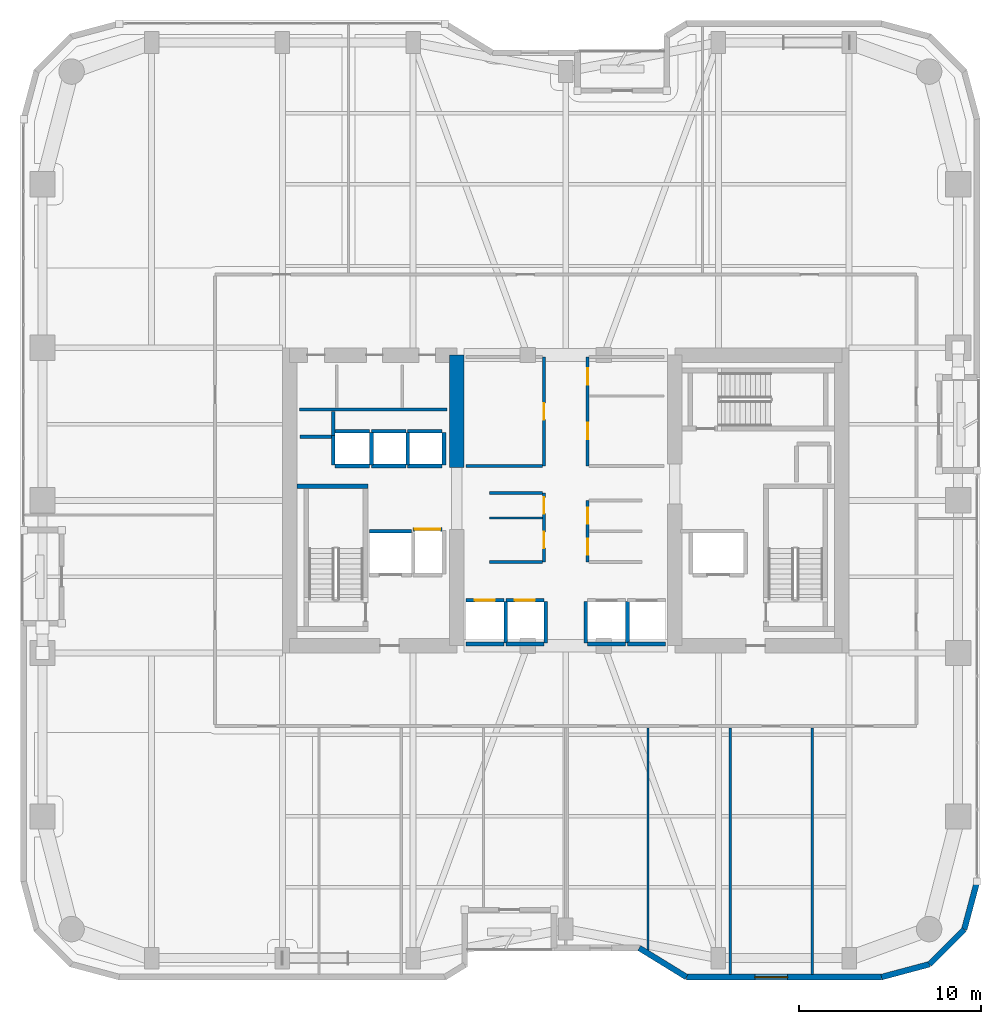
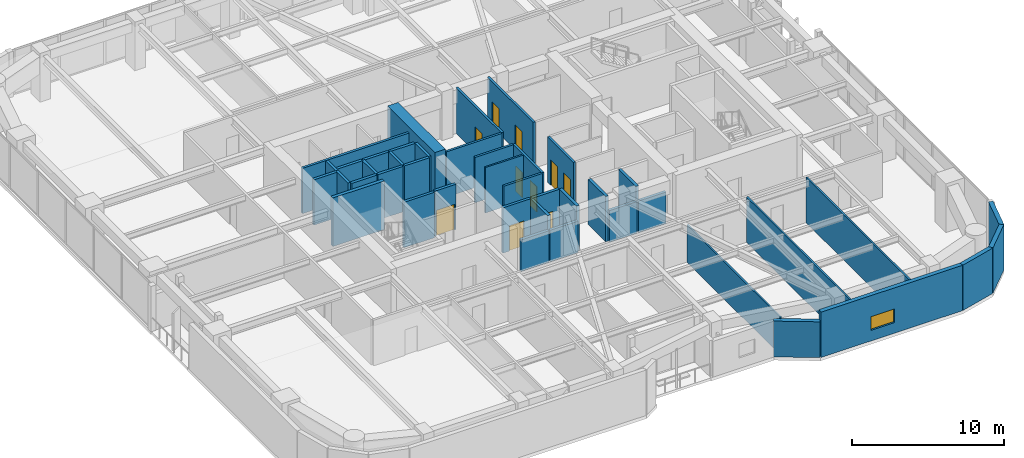
# One storey, part 19 of 24: 43 walls, 10 doors, 1 window, 11 openings.
"""IFC4 building model written with IfcOpenShell, lengths in metres."""

import ifcopenshell
import ifcopenshell.guid

model = None  # the IFC model being written
_history = None  # IfcOwnerHistory: only IFC2X3 demands one
_inside = {}  # id of a spatial element -> (the spatial element, [elements in it])
_under = {}  # id of a project, library or spatial element -> (it, [spatial elements below it])
_declared = {}  # id of a project -> (the project, [libraries it declares])
_typed = {}  # id of a type object -> (the type object, [elements of that type])
_made_of = {}  # id of a material, layer set ... -> (it, [elements and type objects made of it])


def new_model(schema):
    """Start an empty IFC model of exactly this schema.

    Asked for "IFC4X3", IfcOpenShell would pick the latest addendum, in which some entities
    have other attributes; the version numbers below select the first issue.
    IFC2X3 requires an IfcOwnerHistory on every rooted entity: one is made here for all.
    """
    global model, _history
    if schema == "IFC4X3":
        model = ifcopenshell.file(schema_version=(4, 3, 0, 0))
    else:
        model = ifcopenshell.file(schema=schema)
    _inside.clear()
    _under.clear()
    _declared.clear()
    _typed.clear()
    _made_of.clear()
    _history = None
    if model.schema == "IFC2X3":
        org = make("IfcOrganization", Name="unknown")
        user = make(
            "IfcPersonAndOrganization",
            ThePerson=make("IfcPerson", FamilyName="unknown"),
            TheOrganization=org,
        )
        app = make(
            "IfcApplication",
            ApplicationDeveloper=org,
            Version="unknown",
            ApplicationFullName="unknown",
            ApplicationIdentifier="unknown",
        )
        _history = make(
            "IfcOwnerHistory",
            OwningUser=user,
            OwningApplication=app,
            ChangeAction="ADDED",
            CreationDate=0,
        )
    return model


def make(cls, **values):
    """One entity of the class cls with the attributes given. An attribute that is None is left unset."""
    return model.create_entity(
        cls, **{name: value for name, value in values.items() if value is not None}
    )


def rooted(cls, **values):
    """An entity with a GlobalId (a new one), such as an element, a storey or a relation."""
    return make(cls, GlobalId=ifcopenshell.guid.new(), OwnerHistory=_history, **values)


def si_unit(unit_type, name, prefix=None):
    """IfcSIUnit, for example si_unit("LENGTHUNIT", "METRE", prefix="MILLI")."""
    return make("IfcSIUnit", UnitType=unit_type, Prefix=prefix, Name=name)


def assignment(units):
    """IfcUnitAssignment: the units of a project."""
    return None if units is None else make("IfcUnitAssignment", Units=units)


def point(xyz):
    """IfcCartesianPoint."""
    return None if xyz is None else make("IfcCartesianPoint", Coordinates=xyz)


def direction(xyz):
    """IfcDirection."""
    return None if xyz is None else make("IfcDirection", DirectionRatios=xyz)


def frame(location, z_axis=None, x_axis=None):
    """IfcAxis2Placement3D, a coordinate frame: its origin and axes. An axis left out is left unset."""
    return make(
        "IfcAxis2Placement3D",
        Location=point(location),
        Axis=direction(z_axis),
        RefDirection=direction(x_axis),
    )


def frame_2d(location, x_axis=None):
    """IfcAxis2Placement2D, a coordinate frame in the plane: its origin and x axis."""
    return make(
        "IfcAxis2Placement2D", Location=point(location), RefDirection=direction(x_axis)
    )


def origin():
    """The frame at (0, 0, 0) with its axes left unset."""
    return frame((0.0, 0.0, 0.0))


def place(relative_to, where):
    """IfcLocalPlacement: puts the frame where relative to a parent placement (None: the world)."""
    return make(
        "IfcLocalPlacement", PlacementRelTo=relative_to, RelativePlacement=where
    )


def context(
    kind, dimensions, precision=None, world=None, true_north=None, identifier=None
):
    """IfcGeometricRepresentationContext, for example the 3D "Model" context."""
    return make(
        "IfcGeometricRepresentationContext",
        ContextIdentifier=identifier,
        ContextType=kind,
        CoordinateSpaceDimension=dimensions,
        Precision=precision,
        WorldCoordinateSystem=world,
        TrueNorth=true_north,
    )


def subcontext(parent, identifier, kind, view, scale=None):
    """IfcGeometricRepresentationSubContext, for example "Body" below "Model"."""
    return make(
        "IfcGeometricRepresentationSubContext",
        ContextIdentifier=identifier,
        ContextType=kind,
        ParentContext=parent,
        TargetScale=scale,
        TargetView=view,
    )


def project(units=None, contexts=None):
    """IfcProject with its units and contexts."""
    return rooted(
        "IfcProject",
        Name="project",
        RepresentationContexts=contexts,
        UnitsInContext=assignment(units),
    )


def spatial(cls, under=None, at=None, **own):
    """A site, building, storey or space (cls), placed at a placement, below another one or the project."""
    s = rooted(cls, ObjectPlacement=at, **own)
    if under is not None:
        _under.setdefault(under.id(), (under, []))[1].append(s)
    return s


def profile(cls, at=None, kind="AREA", **sizes):
    """A parametric profile (cls). Its sizes go by their IFC names, for example OverallWidth=200.0."""
    return make(cls, ProfileType=kind, Position=at, **sizes)


def rectangle(**sizes):
    """IfcRectangleProfileDef."""
    return profile("IfcRectangleProfileDef", **sizes)


def extrude(swept, where, along, depth):
    """IfcExtrudedAreaSolid: the profile swept, set in the frame where, extruded along a direction by depth."""
    return make(
        "IfcExtrudedAreaSolid",
        SweptArea=swept,
        Position=where,
        ExtrudedDirection=direction(along),
        Depth=depth,
    )


def shape(context_of_items, identifier, shape_type, items):
    """IfcShapeRepresentation: the items that make up one representation, for example the "Body"."""
    return make(
        "IfcShapeRepresentation",
        ContextOfItems=context_of_items,
        RepresentationIdentifier=identifier,
        RepresentationType=shape_type,
        Items=items,
    )


def material(Name=None, Category=None):
    """IfcMaterial."""
    return make("IfcMaterial", Name=Name, Category=Category)


def layer(
    of_material, thickness, ventilated=None, Name=None, Category=None, Priority=None
):
    """IfcMaterialLayer: one layer of a wall or slab, of a material (None: an air gap)."""
    return make(
        "IfcMaterialLayer",
        Material=of_material,
        LayerThickness=thickness,
        IsVentilated=ventilated,
        Name=Name,
        Category=Category,
        Priority=Priority,
    )


def layer_set(layers, Name=None):
    """IfcMaterialLayerSet."""
    return make("IfcMaterialLayerSet", MaterialLayers=layers, LayerSetName=Name)


def made_of(thing, what):
    """Note that an element or type object is made of a material, layer set ...; save() writes the relation."""
    if what is not None:
        _made_of.setdefault(what.id(), (what, []))[1].append(thing)
    return thing


def type_object(cls, material=None, **own):
    """A type object (cls), such as IfcWallType, which elements share."""
    return made_of(rooted(cls, **own), material)


def element(
    cls,
    number,
    at=None,
    inside=None,
    cuts=None,
    type_object=None,
    material=None,
    context=None,
    identifier="Body",
    shape_type=None,
    held_by="IfcProductDefinitionShape",
    body=None,
    shapes=None,
    **own,
):
    """One element of the class cls, such as IfcWall. Its Tag is "e" and its number.

    at: its placement. inside: the storey or other place that contains it. cuts: it is an
    opening in that element (IfcRelVoidsElement). A single representation is given by context,
    identifier, shape_type and body (its items); several are given by shapes. held_by: the class
    of the entity that holds the representations. save() writes the other relations.
    """
    e = rooted(cls, Tag="e%d" % number, ObjectPlacement=at, **own)
    if body is not None:
        shapes = [shape(context, identifier, shape_type, body)]
    if shapes is not None:
        e.Representation = make(held_by, Representations=shapes)
    if inside is not None:
        _inside.setdefault(inside.id(), (inside, []))[1].append(e)
    if cuts is not None:
        rooted(
            "IfcRelVoidsElement", RelatingBuildingElement=cuts, RelatedOpeningElement=e
        )
    if type_object is not None:
        _typed.setdefault(type_object.id(), (type_object, []))[1].append(e)
    return made_of(e, material)


def fill(opening, filler):
    """IfcRelFillsElement: the door or window that sits in an opening."""
    return rooted(
        "IfcRelFillsElement",
        RelatingOpeningElement=opening,
        RelatedBuildingElement=filler,
    )


def aggregate(whole, parts):
    """IfcRelAggregates: a whole, such as a stair, and the parts it consists of."""
    return rooted("IfcRelAggregates", RelatingObject=whole, RelatedObjects=parts)


def save(model, path):
    """Write the relations noted so far, then the file.

    IfcRelAggregates (storeys below a building ...), IfcRelContainedInSpatialStructure (elements
    in a storey), IfcRelDefinesByType, IfcRelAssociatesMaterial and IfcRelDeclares: one each for
    every whole, place, type object, material and project.
    """
    for whole, parts in _under.values():
        aggregate(whole, parts)
    for where, things in _inside.values():
        rooted(
            "IfcRelContainedInSpatialStructure",
            RelatedElements=things,
            RelatingStructure=where,
        )
    for kind, things in _typed.values():
        rooted("IfcRelDefinesByType", RelatedObjects=things, RelatingType=kind)
    for what, things in _made_of.values():
        rooted("IfcRelAssociatesMaterial", RelatedObjects=things, RelatingMaterial=what)
    for by, libraries in _declared.values():
        rooted("IfcRelDeclares", RelatingContext=by, RelatedDefinitions=libraries)
    model.write(path)


model = new_model("IFC4")

# Units and contexts
model_context = context("Model", 3, precision=1e-05, world=origin(), true_north=direction((0.0, 1.0)))
body_context = subcontext(model_context, "Body", "Model", "MODEL_VIEW")
ifc_project = project(units=[si_unit("LENGTHUNIT", "METRE"), si_unit("AREAUNIT", "SQUARE_METRE"), si_unit("VOLUMEUNIT", "CUBIC_METRE"), si_unit("PLANEANGLEUNIT", "RADIAN"), si_unit("MASSUNIT", "GRAM", prefix="KILO")], contexts=[model_context])

# Site, building, storey
site_placement = place(None, origin())
site = spatial("IfcSite", under=ifc_project, at=site_placement, CompositionType="ELEMENT")
building_placement = place(site_placement, origin())
building = spatial("IfcBuilding", under=site, at=building_placement, Name="Kiyonajd Concourse Tower", CompositionType="ELEMENT")
storey_placement = place(building_placement, frame((0.0, 0.0, 113.10009765625)))
storey = spatial("IfcBuildingStorey", under=building, at=storey_placement, Name="L29", CompositionType="ELEMENT", Elevation=113.10009765625)

# Walls
ifc_material_1 = material(Name="Concrete C70/85", Category="concrete")
ifc_layer_1 = layer(ifc_material_1, 0.800048828125)
ifc_layer_set_1 = layer_set([ifc_layer_1], Name="Concrete C70/85")
wall_type_1 = type_object("IfcWallType", Name="WL-CORE-800", PredefinedType="SHEAR", material=ifc_layer_set_1)
wall_1_placement = place(storey_placement, frame((42.0, 37.800048828125, 0.0), z_axis=(0.0, 0.0, 1.0), x_axis=(0.0, 1.0, 0.0)))
element("IfcWall", 1, at=wall_1_placement, inside=storey, type_object=wall_type_1, Name="L29 West Core Inner North Shear Wall", PredefinedType="SHEAR", context=body_context, shape_type="SweptSolid", body=[
    extrude(rectangle(XDim=6.199951171875, YDim=0.800048828125, at=frame_2d((3.10009765625, 0.0))), origin(), (0.0, 0.0, 1.0), 3.89990234375),
])
ifc_material_2 = material(Name="Precast concrete C50/60", Category="concrete")
ifc_layer_2 = layer(ifc_material_2, 0.320068359375)
ifc_layer_set_2 = layer_set([ifc_layer_2], Name="Precast concrete C50/60")
wall_type_2 = type_object("IfcWallType", Name="WL-EXT-320", PredefinedType="SOLIDWALL", material=ifc_layer_set_2)
wall_2_placement = place(storey_placement, frame((70.639892578125, 15.02099609375, 0.0), z_axis=(0.0, 0.0, 1.0), x_axis=(-0.258613949072, -0.965980758269, 0.0)))
element("IfcWall", 2, at=wall_2_placement, inside=storey, type_object=wall_type_2, Name="L29 Exterior Concrete Frame Wall 25", PredefinedType="SOLIDWALL", context=body_context, shape_type="SweptSolid", body=[
    extrude(rectangle(XDim=2.731201171875, YDim=0.320068359375, at=frame_2d((1.36572265625, 0.0))), origin(), (0.0, 0.0, 1.0), 3.639892578125),
])
wall_3_placement = place(storey_placement, frame((69.93359375, 12.3828125, 0.0), z_axis=(0.0, 0.0, 1.0), x_axis=(-0.707151821269, -0.707061738235, 0.0)))
element("IfcWall", 3, at=wall_3_placement, inside=storey, type_object=wall_type_2, Name="L29 Exterior Concrete Frame Wall 26", PredefinedType="SOLIDWALL", context=body_context, shape_type="SweptSolid", body=[
    extrude(rectangle(XDim=2.710205078125, YDim=0.320068359375, at=frame_2d((1.35498046875, 0.0))), origin(), (0.0, 0.0, 1.0), 3.639892578125),
])
wall_4_placement = place(storey_placement, frame((68.01708984375, 10.466552734375, 0.0), z_axis=(0.0, 0.0, 1.0), x_axis=(-0.965958423373, -0.25869736047, 0.0)))
element("IfcWall", 4, at=wall_4_placement, inside=storey, type_object=wall_type_2, Name="L29 Exterior Concrete Frame Wall 27", PredefinedType="SOLIDWALL", context=body_context, shape_type="SweptSolid", body=[
    extrude(rectangle(XDim=2.731201171875, YDim=0.320068359375, at=frame_2d((1.36572265625, 0.0))), origin(), (0.0, 0.0, 1.0), 3.639892578125),
])

# Wall, opening, window
wall_5_placement = place(storey_placement, frame((65.37890625, 9.760009765625, 0.0), z_axis=(0.0, 0.0, 1.0), x_axis=(-1.0, 0.0, 0.0)))
wall_5 = element("IfcWall", 5, at=wall_5_placement, inside=storey, type_object=wall_type_2, Name="L29 Exterior Concrete Frame Wall 28", PredefinedType="SOLIDWALL", context=body_context, shape_type="SweptSolid", body=[
    extrude(rectangle(XDim=10.733642578125, YDim=0.320068359375, at=frame_2d((5.36669921875, 0.0))), origin(), (0.0, 0.0, 1.0), 3.639892578125),
])
opening_1_placement = place(wall_5_placement, frame((5.1689453125, 0.0, 0.85009765625)))
opening_1 = element("IfcOpeningElement", 6, at=opening_1_placement, cuts=wall_5, Name="Opening WN1", PredefinedType="OPENING", context=body_context, shape_type="SweptSolid", body=[
    extrude(rectangle(XDim=1.800048828125, YDim=1.10009765625, at=frame_2d((0.89990234375, 0.550048828125))), frame((0.0, 0.169921875, 0.0), z_axis=(0.0, -1.0, 0.0), x_axis=(1.0, 0.0, 0.0)), (0.0, 0.0, 1.0), 0.340087890625),
])
ifc_material_3 = material(Name="Double Low-E Insulated Glass", Category="glass")
window_type = type_object("IfcWindowType", Name="WN-VIS-1800x1100", PartitioningType="SINGLE_PANEL", PredefinedType="WINDOW", material=ifc_material_3)
window_placement = place(opening_1_placement, origin())
window = element("IfcWindow", 7, at=window_placement, inside=storey, type_object=window_type, Name="L29 Modular Facade Vision Window 28", OverallHeight=1.10009765625, OverallWidth=1.800048828125, PartitioningType="SINGLE_PANEL", PredefinedType="WINDOW", context=body_context, shape_type="SweptSolid", body=[
    extrude(rectangle(XDim=1.800048828125, YDim=1.10009765625, at=frame_2d((0.89990234375, 0.550048828125))), frame((0.0, 0.030029296875, 0.0), z_axis=(0.0, -1.0, 0.0), x_axis=(1.0, 0.0, 0.0)), (0.0, 0.0, 1.0), 0.06005859375),
])
fill(opening_1, window)

# Walls
wall_6_placement = place(storey_placement, frame((54.645263671875, 9.760009765625, 0.0), z_axis=(0.0, 0.0, 1.0), x_axis=(-0.851630857047, 0.524142044989, 0.0)))
element("IfcWall", 8, at=wall_6_placement, inside=storey, type_object=wall_type_2, Name="L29 Exterior Concrete Frame Wall 29", PredefinedType="SOLIDWALL", context=body_context, shape_type="SweptSolid", body=[
    extrude(rectangle(XDim=3.052734375, YDim=0.320068359375, at=frame_2d((1.5263671875, 0.0))), origin(), (0.0, 0.0, 1.0), 2.875),
])
ifc_material_4 = material(Name="Gypsum Board on Cold-Formed Steel Stud", Category="steel")
ifc_layer_3 = layer(ifc_material_4, 0.125)
ifc_layer_set_3 = layer_set([ifc_layer_3], Name="Gypsum Board on Cold-Formed Steel Stud")
wall_type_3 = type_object("IfcWallType", Name="WL-PART-125", PredefinedType="PARTITIONING", material=ifc_layer_set_3)
wall_7_placement = place(storey_placement, frame((43.800048828125, 35.031982421875, 0.0), z_axis=(0.0, 0.0, 1.0), x_axis=(1.0, 0.0, 0.0)))
element("IfcWall", 9, at=wall_7_placement, inside=storey, type_object=wall_type_3, Name="L29 Interior Partition Wall", PredefinedType="PARTITIONING", context=body_context, shape_type="SweptSolid", body=[
    extrude(rectangle(XDim=2.912841796875, YDim=0.125, at=frame_2d((1.45654296875, 0.0))), origin(), (0.0, 0.0, 1.0), 3.639892578125),
])
wall_8_placement = place(storey_placement, frame((52.52001953125, 11.222900390625, 0.0), z_axis=(0.0, 0.0, 1.0), x_axis=(0.0, 1.0, 0.0)))
element("IfcWall", 10, at=wall_8_placement, inside=storey, type_object=wall_type_3, Name="L29 Interior Partition Wall", PredefinedType="PARTITIONING", context=body_context, shape_type="SweptSolid", body=[
    extrude(rectangle(XDim=12.260009765625, YDim=0.125, at=frame_2d((6.1298828125, 0.0))), origin(), (0.0, 0.0, 1.0), 3.0029296875),
])
for number, where, z_axis, x_axis, name in (
    (11, (57.050048828125, 9.9150390625, 0.0), (0.0, 0.0, 1.0), (0.0, 1.0, 0.0), "L29 Interior Partition Wall"),
    (12, (61.570068359375, 9.9150390625, 0.0), (0.0, 0.0, 1.0), (0.0, 1.0, 0.0), "L29 Interior Partition Wall"),
):
    element("IfcWall", number, at=place(storey_placement, frame(where, z_axis=z_axis, x_axis=x_axis)), inside=storey, type_object=wall_type_3, Name=name, PredefinedType="PARTITIONING", context=body_context, shape_type="SweptSolid", body=[
        extrude(rectangle(XDim=13.56787109375, YDim=0.125, at=frame_2d((6.783935546875, 0.0))), origin(), (0.0, 0.0, 1.0), 3.639892578125),
    ])
ifc_layer_4 = layer(ifc_material_4, 0.18994140625)
ifc_layer_set_4 = layer_set([ifc_layer_4], Name="Gypsum Board on Cold-Formed Steel Stud")
wall_type_4 = type_object("IfcWallType", Name="WL-PLMB-190", PredefinedType="PLUMBINGWALL", material=ifc_layer_set_4)
wall_9_placement = place(storey_placement, frame((33.35009765625, 41.0, 0.0), z_axis=(0.0, 0.0, 1.0), x_axis=(1.0, 0.0, 0.0)))
element("IfcWall", 13, at=wall_9_placement, inside=storey, type_object=wall_type_4, Name="L29 Interior Partition Wall", PredefinedType="PLUMBINGWALL", context=body_context, shape_type="SweptSolid", body=[
    extrude(rectangle(XDim=8.099853515625, YDim=0.18994140625, at=frame_2d((4.0498046875, 0.0))), origin(), (0.0, 0.0, 1.0), 3.639892578125),
])
ifc_layer_5 = layer(ifc_material_4, 0.2099609375)
ifc_layer_set_5 = layer_set([ifc_layer_5], Name="Gypsum Board on Cold-Formed Steel Stud")
wall_type_5 = type_object("IfcWallType", Name="WL-SHAFT-210", PredefinedType="PARTITIONING", material=ifc_layer_set_5)
wall_10_placement = place(storey_placement, frame((33.360107421875, 39.5, 0.0), z_axis=(0.0, 0.0, 1.0), x_axis=(1.0, 0.0, 0.0)))
element("IfcWall", 14, at=wall_10_placement, inside=storey, type_object=wall_type_5, Name="L29 Shaft Enclosure Wall", PredefinedType="PARTITIONING", context=body_context, shape_type="SweptSolid", body=[
    extrude(rectangle(XDim=1.85986328125, YDim=0.2099609375, at=frame_2d((0.929931640625, 0.0))), origin(), (0.0, 0.0, 1.0), 3.639892578125),
])
wall_11_placement = place(storey_placement, frame((35.199951171875, 39.580078125, 0.0), z_axis=(0.0, 0.0, 1.0), x_axis=(0.0, 1.0, 0.0)))
element("IfcWall", 15, at=wall_11_placement, inside=storey, type_object=wall_type_5, Name="L29 Shaft Enclosure Wall", PredefinedType="PARTITIONING", context=body_context, shape_type="SweptSolid", body=[
    extrude(rectangle(XDim=1.31982421875, YDim=0.2099609375, at=frame_2d((0.659912109375, 0.0))), origin(), (0.0, 0.0, 1.0), 3.639892578125),
])
wall_12_placement = place(storey_placement, frame((37.199951171875, 34.300048828125, 0.0), z_axis=(0.0, 0.0, 1.0), x_axis=(1.0, 0.0, 0.0)))
element("IfcWall", 16, at=wall_12_placement, inside=storey, type_object=wall_type_5, Name="L29 Shaft Enclosure Wall", PredefinedType="PARTITIONING", context=body_context, shape_type="SweptSolid", body=[
    extrude(rectangle(XDim=2.300048828125, YDim=0.2099609375, at=frame_2d((1.14990234375, 0.0))), origin(), (0.0, 0.0, 1.0), 3.639892578125),
])

# Wall, opening, door
wall_13_placement = place(storey_placement, frame((39.60009765625, 34.39990234375, 0.0), z_axis=(0.0, 0.0, 1.0), x_axis=(1.0, 0.0, 0.0)))
wall_13 = element("IfcWall", 17, at=wall_13_placement, inside=storey, type_object=wall_type_5, Name="L29 Shaft Enclosure Wall", PredefinedType="PARTITIONING", context=body_context, shape_type="SweptSolid", body=[
    extrude(rectangle(XDim=1.599853515625, YDim=0.2099609375, at=frame_2d((0.7998046875, 0.0))), origin(), (0.0, 0.0, 1.0), 3.639892578125),
])
opening_2_placement = place(wall_13_placement, frame((0.10009765625, 0.0, 0.0)))
opening_2 = element("IfcOpeningElement", 18, at=opening_2_placement, cuts=wall_13, Name="Opening LD3", PredefinedType="OPENING", context=body_context, shape_type="SweptSolid", body=[
    extrude(rectangle(XDim=1.39990234375, YDim=2.06005859375, at=frame_2d((0.699951171875, 1.030029296875))), frame((0.0, 0.114990234375, 0.0), z_axis=(0.0, -1.0, 0.0), x_axis=(1.0, 0.0, 0.0)), (0.0, 0.0, 1.0), 0.22998046875),
])
ifc_material_5 = material(Name="Brushed Stainless Steel Cab Assembly", Category="steel")
door_type_1 = type_object("IfcDoorType", Name="DR-LD-1400", OperationType="DOUBLE_DOOR_SLIDING", PredefinedType="DOOR", material=ifc_material_5)
door_1_placement = place(opening_2_placement, origin())
door_1 = element("IfcDoor", 19, at=door_1_placement, inside=storey, type_object=door_type_1, Name="L29 Lift SVL1 Sliding Landing Door", OperationType="DOUBLE_DOOR_SLIDING", OverallHeight=2.06005859375, OverallWidth=1.39990234375, PredefinedType="DOOR", context=body_context, shape_type="SweptSolid", body=[
    extrude(rectangle(XDim=1.39990234375, YDim=2.06005859375, at=frame_2d((0.699951171875, 1.030029296875))), frame((0.0, 0.02490234375, 0.0), z_axis=(0.0, -1.0, 0.0), x_axis=(1.0, 0.0, 0.0)), (0.0, 0.0, 1.0), 0.050048828125),
])
fill(opening_2, door_1)

wall_14_placement = place(storey_placement, frame((42.5, 30.5, 0.0), z_axis=(0.0, 0.0, 1.0), x_axis=(1.0, 0.0, 0.0)))
wall_14 = element("IfcWall", 20, at=wall_14_placement, inside=storey, type_object=wall_type_5, Name="L29 Shaft Enclosure Wall", PredefinedType="PARTITIONING", context=body_context, shape_type="SweptSolid", body=[
    extrude(rectangle(XDim=2.10009765625, YDim=0.2099609375, at=frame_2d((1.050048828125, 0.0))), origin(), (0.0, 0.0, 1.0), 3.639892578125),
])
opening_3_placement = place(wall_14_placement, frame((0.5, 0.0, 0.0)))
opening_3 = element("IfcOpeningElement", 21, at=opening_3_placement, cuts=wall_14, Name="Opening LD1", PredefinedType="OPENING", context=body_context, shape_type="SweptSolid", body=[
    extrude(rectangle(XDim=1.10009765625, YDim=2.0400390625, at=frame_2d((0.550048828125, 1.02001953125))), frame((0.0, 0.114990234375, 0.0), z_axis=(0.0, -1.0, 0.0), x_axis=(1.0, 0.0, 0.0)), (0.0, 0.0, 1.0), 0.22998046875),
])
door_type_2 = type_object("IfcDoorType", Name="DR-LD-1100", OperationType="DOUBLE_DOOR_SLIDING", PredefinedType="DOOR", material=ifc_material_5)
door_2_placement = place(opening_3_placement, origin())
door_2 = element("IfcDoor", 22, at=door_2_placement, inside=storey, type_object=door_type_2, Name="L29 Lift PL-L1 Sliding Landing Door", OperationType="DOUBLE_DOOR_SLIDING", OverallHeight=2.0400390625, OverallWidth=1.10009765625, PredefinedType="DOOR", context=body_context, shape_type="SweptSolid", body=[
    extrude(rectangle(XDim=1.10009765625, YDim=2.0400390625, at=frame_2d((0.550048828125, 1.02001953125))), frame((0.0, 0.02490234375, 0.0), z_axis=(0.0, -1.0, 0.0), x_axis=(1.0, 0.0, 0.0)), (0.0, 0.0, 1.0), 0.050048828125),
])
fill(opening_3, door_2)

# Walls
wall_15_placement = place(storey_placement, frame((42.5, 28.10009765625, 0.0), z_axis=(0.0, 0.0, 1.0), x_axis=(1.0, 0.0, 0.0)))
element("IfcWall", 23, at=wall_15_placement, inside=storey, type_object=wall_type_5, Name="L29 Shaft Enclosure Wall", PredefinedType="PARTITIONING", context=body_context, shape_type="SweptSolid", body=[
    extrude(rectangle(XDim=2.10009765625, YDim=0.2099609375, at=frame_2d((1.050048828125, 0.0))), origin(), (0.0, 0.0, 1.0), 2.52490234375),
])
wall_16_placement = place(storey_placement, frame((44.699951171875, 28.159912109375, 0.0), z_axis=(0.0, 0.0, 1.0), x_axis=(0.0, 1.0, 0.0)))
element("IfcWall", 24, at=wall_16_placement, inside=storey, type_object=wall_type_5, Name="L29 Shaft Enclosure Wall", PredefinedType="PARTITIONING", context=body_context, shape_type="SweptSolid", body=[
    extrude(rectangle(XDim=2.280029296875, YDim=0.2099609375, at=frame_2d((1.14013671875, 0.0))), origin(), (0.0, 0.0, 1.0), 3.639892578125),
])

# Wall, opening, door
wall_17_placement = place(storey_placement, frame((44.699951171875, 30.5, 0.0), z_axis=(0.0, 0.0, 1.0), x_axis=(1.0, 0.0, 0.0)))
wall_17 = element("IfcWall", 25, at=wall_17_placement, inside=storey, type_object=wall_type_5, Name="L29 Shaft Enclosure Wall", PredefinedType="PARTITIONING", context=body_context, shape_type="SweptSolid", body=[
    extrude(rectangle(XDim=2.10009765625, YDim=0.2099609375, at=frame_2d((1.050048828125, 0.0))), origin(), (0.0, 0.0, 1.0), 3.639892578125),
])
opening_4_placement = place(wall_17_placement, frame((0.5, 0.0, 0.0)))
opening_4 = element("IfcOpeningElement", 26, at=opening_4_placement, cuts=wall_17, Name="Opening LD1", PredefinedType="OPENING", context=body_context, shape_type="SweptSolid", body=[
    extrude(rectangle(XDim=1.10009765625, YDim=2.0400390625, at=frame_2d((0.550048828125, 1.02001953125))), frame((0.0, 0.114990234375, 0.0), z_axis=(0.0, -1.0, 0.0), x_axis=(1.0, 0.0, 0.0)), (0.0, 0.0, 1.0), 0.22998046875),
])
door_3_placement = place(opening_4_placement, origin())
door_3 = element("IfcDoor", 27, at=door_3_placement, inside=storey, type_object=door_type_2, Name="L29 Lift PL-L2 Sliding Landing Door", OperationType="DOUBLE_DOOR_SLIDING", OverallHeight=2.0400390625, OverallWidth=1.10009765625, PredefinedType="DOOR", context=body_context, shape_type="SweptSolid", body=[
    extrude(rectangle(XDim=1.10009765625, YDim=2.0400390625, at=frame_2d((0.550048828125, 1.02001953125))), frame((0.0, 0.02490234375, 0.0), z_axis=(0.0, -1.0, 0.0), x_axis=(1.0, 0.0, 0.0)), (0.0, 0.0, 1.0), 0.050048828125),
])
fill(opening_4, door_3)

# Walls
wall_18_placement = place(storey_placement, frame((44.699951171875, 28.10009765625, 0.0), z_axis=(0.0, 0.0, 1.0), x_axis=(1.0, 0.0, 0.0)))
element("IfcWall", 28, at=wall_18_placement, inside=storey, type_object=wall_type_5, Name="L29 Shaft Enclosure Wall", PredefinedType="PARTITIONING", context=body_context, shape_type="SweptSolid", body=[
    extrude(rectangle(XDim=2.10009765625, YDim=0.2099609375, at=frame_2d((1.050048828125, 0.0))), origin(), (0.0, 0.0, 1.0), 2.52490234375),
])
wall_19_placement = place(storey_placement, frame((46.89990234375, 28.159912109375, 0.0), z_axis=(0.0, 0.0, 1.0), x_axis=(0.0, 1.0, 0.0)))
element("IfcWall", 29, at=wall_19_placement, inside=storey, type_object=wall_type_5, Name="L29 Shaft Enclosure Wall", PredefinedType="PARTITIONING", context=body_context, shape_type="SweptSolid", body=[
    extrude(rectangle(XDim=2.280029296875, YDim=0.2099609375, at=frame_2d((1.14013671875, 0.0))), origin(), (0.0, 0.0, 1.0), 3.639892578125),
])
wall_20_placement = place(storey_placement, frame((49.199951171875, 28.10009765625, 0.0), z_axis=(0.0, 0.0, 1.0), x_axis=(1.0, 0.0, 0.0)))
element("IfcWall", 30, at=wall_20_placement, inside=storey, type_object=wall_type_5, Name="L29 Shaft Enclosure Wall", PredefinedType="PARTITIONING", context=body_context, shape_type="SweptSolid", body=[
    extrude(rectangle(XDim=2.10009765625, YDim=0.2099609375, at=frame_2d((1.050048828125, 0.0))), origin(), (0.0, 0.0, 1.0), 2.52490234375),
])
for number, where, z_axis, x_axis, name in (
    (31, (49.10009765625, 28.159912109375, 0.0), (0.0, 0.0, 1.0), (0.0, 1.0, 0.0), "L29 Shaft Enclosure Wall"),
    (32, (51.39990234375, 28.159912109375, 0.0), (0.0, 0.0, 1.0), (0.0, 1.0, 0.0), "L29 Shaft Enclosure Wall"),
):
    element("IfcWall", number, at=place(storey_placement, frame(where, z_axis=z_axis, x_axis=x_axis)), inside=storey, type_object=wall_type_5, Name=name, PredefinedType="PARTITIONING", context=body_context, shape_type="SweptSolid", body=[
        extrude(rectangle(XDim=2.280029296875, YDim=0.2099609375, at=frame_2d((1.14013671875, 0.0))), origin(), (0.0, 0.0, 1.0), 3.639892578125),
    ])
wall_21_placement = place(storey_placement, frame((51.39990234375, 28.10009765625, 0.0), z_axis=(0.0, 0.0, 1.0), x_axis=(1.0, 0.0, 0.0)))
element("IfcWall", 33, at=wall_21_placement, inside=storey, type_object=wall_type_5, Name="L29 Shaft Enclosure Wall", PredefinedType="PARTITIONING", context=body_context, shape_type="SweptSolid", body=[
    extrude(rectangle(XDim=2.10009765625, YDim=0.2099609375, at=frame_2d((1.050048828125, 0.0))), origin(), (0.0, 0.0, 1.0), 2.52490234375),
])
for number, where, z_axis, x_axis, name in (
    (34, (35.300048828125, 37.89990234375, 0.0), (0.0, 0.0, 1.0), (1.0, 0.0, 0.0), "L29 Shaft Enclosure Wall"),
    (35, (35.300048828125, 39.800048828125, 0.0), (0.0, 0.0, 1.0), (1.0, 0.0, 0.0), "L29 Shaft Enclosure Wall"),
):
    element("IfcWall", number, at=place(storey_placement, frame(where, z_axis=z_axis, x_axis=x_axis)), inside=storey, type_object=wall_type_5, Name=name, PredefinedType="PARTITIONING", context=body_context, shape_type="SweptSolid", body=[
        extrude(rectangle(XDim=1.89990234375, YDim=0.2099609375, at=frame_2d((0.949951171875, 0.0))), origin(), (0.0, 0.0, 1.0), 3.639892578125),
    ])
wall_22_placement = place(storey_placement, frame((35.199951171875, 37.9599609375, 0.0), z_axis=(0.0, 0.0, 1.0), x_axis=(0.0, 1.0, 0.0)))
element("IfcWall", 36, at=wall_22_placement, inside=storey, type_object=wall_type_5, Name="L29 Shaft Enclosure Wall", PredefinedType="PARTITIONING", context=body_context, shape_type="SweptSolid", body=[
    extrude(rectangle(XDim=1.6201171875, YDim=0.2099609375, at=frame_2d((0.81005859375, 0.0))), origin(), (0.0, 0.0, 1.0), 3.639892578125),
])
wall_23_placement = place(storey_placement, frame((37.300048828125, 37.9599609375, 0.0), z_axis=(0.0, 0.0, 1.0), x_axis=(0.0, 1.0, 0.0)))
element("IfcWall", 37, at=wall_23_placement, inside=storey, type_object=wall_type_5, Name="L29 Shaft Enclosure Wall", PredefinedType="PARTITIONING", context=body_context, shape_type="SweptSolid", body=[
    extrude(rectangle(XDim=1.780029296875, YDim=0.2099609375, at=frame_2d((0.89013671875, 0.0))), origin(), (0.0, 0.0, 1.0), 3.639892578125),
])
for number, where, z_axis, x_axis, name in (
    (38, (37.300048828125, 37.89990234375, 0.0), (0.0, 0.0, 1.0), (1.0, 0.0, 0.0), "L29 Shaft Enclosure Wall"),
    (39, (37.300048828125, 39.800048828125, 0.0), (0.0, 0.0, 1.0), (1.0, 0.0, 0.0), "L29 Shaft Enclosure Wall"),
):
    element("IfcWall", number, at=place(storey_placement, frame(where, z_axis=z_axis, x_axis=x_axis)), inside=storey, type_object=wall_type_5, Name=name, PredefinedType="PARTITIONING", context=body_context, shape_type="SweptSolid", body=[
        extrude(rectangle(XDim=1.89990234375, YDim=0.2099609375, at=frame_2d((0.949951171875, 0.0))), origin(), (0.0, 0.0, 1.0), 3.639892578125),
    ])
wall_24_placement = place(storey_placement, frame((39.300048828125, 37.9599609375, 0.0), z_axis=(0.0, 0.0, 1.0), x_axis=(0.0, 1.0, 0.0)))
element("IfcWall", 40, at=wall_24_placement, inside=storey, type_object=wall_type_5, Name="L29 Shaft Enclosure Wall", PredefinedType="PARTITIONING", context=body_context, shape_type="SweptSolid", body=[
    extrude(rectangle(XDim=1.780029296875, YDim=0.2099609375, at=frame_2d((0.89013671875, 0.0))), origin(), (0.0, 0.0, 1.0), 3.639892578125),
])
for number, where, z_axis, x_axis, name in (
    (41, (39.300048828125, 37.89990234375, 0.0), (0.0, 0.0, 1.0), (1.0, 0.0, 0.0), "L29 Shaft Enclosure Wall"),
    (42, (39.300048828125, 39.800048828125, 0.0), (0.0, 0.0, 1.0), (1.0, 0.0, 0.0), "L29 Shaft Enclosure Wall"),
):
    element("IfcWall", number, at=place(storey_placement, frame(where, z_axis=z_axis, x_axis=x_axis)), inside=storey, type_object=wall_type_5, Name=name, PredefinedType="PARTITIONING", context=body_context, shape_type="SweptSolid", body=[
        extrude(rectangle(XDim=1.89990234375, YDim=0.2099609375, at=frame_2d((0.949951171875, 0.0))), origin(), (0.0, 0.0, 1.0), 3.639892578125),
    ])
wall_25_placement = place(storey_placement, frame((41.300048828125, 37.9599609375, 0.0), z_axis=(0.0, 0.0, 1.0), x_axis=(0.0, 1.0, 0.0)))
element("IfcWall", 43, at=wall_25_placement, inside=storey, type_object=wall_type_5, Name="L29 Shaft Enclosure Wall", PredefinedType="PARTITIONING", context=body_context, shape_type="SweptSolid", body=[
    extrude(rectangle(XDim=1.780029296875, YDim=0.2099609375, at=frame_2d((0.89013671875, 0.0))), origin(), (0.0, 0.0, 1.0), 3.639892578125),
])

# Wall, openings, doors
ifc_layer_6 = layer(ifc_material_4, 0.169921875)
ifc_layer_set_6 = layer_set([ifc_layer_6], Name="Gypsum Board on Cold-Formed Steel Stud")
wall_type_6 = type_object("IfcWallType", Name="WL-SMK-170", PredefinedType="PARTITIONING", material=ifc_layer_set_6)
wall_26_placement = place(storey_placement, frame((46.800048828125, 32.60009765625, 0.0), z_axis=(0.0, 0.0, 1.0), x_axis=(0.0, 1.0, 0.0)))
wall_26 = element("IfcWall", 44, at=wall_26_placement, inside=storey, type_object=wall_type_6, Name="L29 Interior Partition Wall", PredefinedType="PARTITIONING", context=body_context, shape_type="SweptSolid", body=[
    extrude(rectangle(XDim=3.7998046875, YDim=0.169921875, at=frame_2d((1.89990234375, 0.0))), origin(), (0.0, 0.0, 1.0), 3.639892578125),
])
opening_5_placement = place(wall_26_placement, frame((0.76611328125, 0.0, 0.0)))
opening_5 = element("IfcOpeningElement", 45, at=opening_5_placement, cuts=wall_26, Name="Opening DF4", PredefinedType="OPENING", context=body_context, shape_type="SweptSolid", body=[
    extrude(rectangle(XDim=0.89990234375, YDim=2.02001953125, at=frame_2d((0.449951171875, 1.010009765625))), frame((0.0, 0.094970703125, 0.0), z_axis=(0.0, -1.0, 0.0), x_axis=(1.0, 0.0, 0.0)), (0.0, 0.0, 1.0), 0.18994140625),
])
opening_6_placement = place(wall_26_placement, frame((2.666015625, 0.0, 0.0)))
opening_6 = element("IfcOpeningElement", 46, at=opening_6_placement, cuts=wall_26, Name="Opening DF4", PredefinedType="OPENING", context=body_context, shape_type="SweptSolid", body=[
    extrude(rectangle(XDim=0.89990234375, YDim=2.02001953125, at=frame_2d((0.449951171875, 1.010009765625))), frame((0.0, 0.094970703125, 0.0), z_axis=(0.0, -1.0, 0.0), x_axis=(1.0, 0.0, 0.0)), (0.0, 0.0, 1.0), 0.18994140625),
])
door_type_3 = type_object("IfcDoorType", Name="DR-FD60-900", OperationType="NOTDEFINED", PredefinedType="DOOR", material=ifc_material_5)
door_4_placement = place(opening_5_placement, origin())
door_4 = element("IfcDoor", 47, at=door_4_placement, inside=storey, type_object=door_type_3, Name="L29 Interior Door", OperationType="SINGLE_SWING_LEFT", OverallHeight=2.02001953125, OverallWidth=0.89990234375, PredefinedType="DOOR", context=body_context, shape_type="SweptSolid", body=[
    extrude(rectangle(XDim=0.89990234375, YDim=2.02001953125, at=frame_2d((0.449951171875, 1.010009765625))), frame((0.0, 0.02490234375, 0.0), z_axis=(0.0, -1.0, 0.0), x_axis=(1.0, 0.0, 0.0)), (0.0, 0.0, 1.0), 0.050048828125),
])
fill(opening_5, door_4)
door_5_placement = place(opening_6_placement, origin())
door_5 = element("IfcDoor", 48, at=door_5_placement, inside=storey, type_object=door_type_3, Name="L29 Interior Door", OperationType="SINGLE_SWING_RIGHT", OverallHeight=2.02001953125, OverallWidth=0.89990234375, PredefinedType="DOOR", context=body_context, shape_type="SweptSolid", body=[
    extrude(rectangle(XDim=0.89990234375, YDim=2.02001953125, at=frame_2d((0.449951171875, 1.010009765625))), frame((0.0, 0.02490234375, 0.0), z_axis=(0.0, -1.0, 0.0), x_axis=(1.0, 0.0, 0.0)), (0.0, 0.0, 1.0), 0.050048828125),
])
fill(opening_6, door_5)

# Walls
for number, where, z_axis, x_axis, name in (
    (49, (43.800048828125, 32.60009765625, 0.0), (0.0, 0.0, 1.0), (1.0, 0.0, 0.0), "L29 Interior Partition Wall"),
    (50, (43.800048828125, 36.39990234375, 0.0), (0.0, 0.0, 1.0), (1.0, 0.0, 0.0), "L29 Interior Partition Wall"),
):
    element("IfcWall", number, at=place(storey_placement, frame(where, z_axis=z_axis, x_axis=x_axis)), inside=storey, type_object=wall_type_6, Name=name, PredefinedType="PARTITIONING", context=body_context, shape_type="SweptSolid", body=[
        extrude(rectangle(XDim=2.912841796875, YDim=0.169921875, at=frame_2d((1.45654296875, 0.0))), origin(), (0.0, 0.0, 1.0), 3.639892578125),
    ])

# Wall, openings, doors
wall_27_placement = place(storey_placement, frame((49.199951171875, 32.60009765625, 0.0), z_axis=(0.0, 0.0, 1.0), x_axis=(0.0, 1.0, 0.0)))
wall_27 = element("IfcWall", 51, at=wall_27_placement, inside=storey, type_object=wall_type_6, Name="L29 Interior Partition Wall", PredefinedType="PARTITIONING", context=body_context, shape_type="SweptSolid", body=[
    extrude(rectangle(XDim=3.39990234375, YDim=0.169921875, at=frame_2d((1.699951171875, 0.0))), origin(), (0.0, 0.0, 1.0), 3.639892578125),
])
opening_7_placement = place(wall_27_placement, frame((0.39990234375, 0.0, 0.0)))
opening_7 = element("IfcOpeningElement", 52, at=opening_7_placement, cuts=wall_27, Name="Opening DI2", PredefinedType="OPENING", context=body_context, shape_type="SweptSolid", body=[
    extrude(rectangle(XDim=0.89990234375, YDim=2.02001953125, at=frame_2d((0.449951171875, 1.010009765625))), frame((0.0, 0.094970703125, 0.0), z_axis=(0.0, -1.0, 0.0), x_axis=(1.0, 0.0, 0.0)), (0.0, 0.0, 1.0), 0.18994140625),
])
opening_8_placement = place(wall_27_placement, frame((2.10009765625, 0.0, 0.0)))
opening_8 = element("IfcOpeningElement", 53, at=opening_8_placement, cuts=wall_27, Name="Opening DI2", PredefinedType="OPENING", context=body_context, shape_type="SweptSolid", body=[
    extrude(rectangle(XDim=0.89990234375, YDim=2.02001953125, at=frame_2d((0.449951171875, 1.010009765625))), frame((0.0, 0.094970703125, 0.0), z_axis=(0.0, -1.0, 0.0), x_axis=(1.0, 0.0, 0.0)), (0.0, 0.0, 1.0), 0.18994140625),
])
ifc_material_6 = material(Name="Natural Oak Acoustic Timber Veneer", Category="wood")
door_type_4 = type_object("IfcDoorType", Name="DR-INT-900", OperationType="NOTDEFINED", PredefinedType="DOOR", material=ifc_material_6)
door_6_placement = place(opening_7_placement, origin())
door_6 = element("IfcDoor", 54, at=door_6_placement, inside=storey, type_object=door_type_4, Name="L29 Interior Door", OperationType="SINGLE_SWING_LEFT", OverallHeight=2.02001953125, OverallWidth=0.89990234375, PredefinedType="DOOR", context=body_context, shape_type="SweptSolid", body=[
    extrude(rectangle(XDim=0.89990234375, YDim=2.02001953125, at=frame_2d((0.449951171875, 1.010009765625))), frame((0.0, 0.02490234375, 0.0), z_axis=(0.0, -1.0, 0.0), x_axis=(1.0, 0.0, 0.0)), (0.0, 0.0, 1.0), 0.050048828125),
])
fill(opening_7, door_6)
door_7_placement = place(opening_8_placement, origin())
door_7 = element("IfcDoor", 55, at=door_7_placement, inside=storey, type_object=door_type_4, Name="L29 Interior Door", OperationType="SINGLE_SWING_RIGHT", OverallHeight=2.02001953125, OverallWidth=0.89990234375, PredefinedType="DOOR", context=body_context, shape_type="SweptSolid", body=[
    extrude(rectangle(XDim=0.89990234375, YDim=2.02001953125, at=frame_2d((0.449951171875, 1.010009765625))), frame((0.0, 0.02490234375, 0.0), z_axis=(0.0, -1.0, 0.0), x_axis=(1.0, 0.0, 0.0)), (0.0, 0.0, 1.0), 0.050048828125),
])
fill(opening_8, door_7)

# Wall, opening, door
wall_28_placement = place(storey_placement, frame((46.800048828125, 37.89990234375, 0.0), z_axis=(0.0, 0.0, 1.0), x_axis=(0.0, 1.0, 0.0)))
wall_28 = element("IfcWall", 56, at=wall_28_placement, inside=storey, type_object=wall_type_6, Name="L29 Interior Partition Wall", PredefinedType="PARTITIONING", context=body_context, shape_type="SweptSolid", body=[
    extrude(rectangle(XDim=6.0, YDim=0.169921875, at=frame_2d((3.0, 0.0))), origin(), (0.0, 0.0, 1.0), 3.639892578125),
])
opening_9_placement = place(wall_28_placement, frame((2.550048828125, 0.0, 0.0)))
opening_9 = element("IfcOpeningElement", 57, at=opening_9_placement, cuts=wall_28, Name="Opening DI2", PredefinedType="OPENING", context=body_context, shape_type="SweptSolid", body=[
    extrude(rectangle(XDim=0.89990234375, YDim=2.02001953125, at=frame_2d((0.449951171875, 1.010009765625))), frame((0.0, 0.094970703125, 0.0), z_axis=(0.0, -1.0, 0.0), x_axis=(1.0, 0.0, 0.0)), (0.0, 0.0, 1.0), 0.18994140625),
])
door_8_placement = place(opening_9_placement, origin())
door_8 = element("IfcDoor", 58, at=door_8_placement, inside=storey, type_object=door_type_4, Name="L29 Interior Door", OperationType="SINGLE_SWING_LEFT", OverallHeight=2.02001953125, OverallWidth=0.89990234375, PredefinedType="DOOR", context=body_context, shape_type="SweptSolid", body=[
    extrude(rectangle(XDim=0.89990234375, YDim=2.02001953125, at=frame_2d((0.449951171875, 1.010009765625))), frame((0.0, 0.02490234375, 0.0), z_axis=(0.0, -1.0, 0.0), x_axis=(1.0, 0.0, 0.0)), (0.0, 0.0, 1.0), 0.050048828125),
])
fill(opening_9, door_8)

# Wall
wall_29_placement = place(storey_placement, frame((42.5, 37.89990234375, 0.0), z_axis=(0.0, 0.0, 1.0), x_axis=(1.0, 0.0, 0.0)))
element("IfcWall", 59, at=wall_29_placement, inside=storey, type_object=wall_type_6, Name="L29 Interior Partition Wall", PredefinedType="PARTITIONING", context=body_context, shape_type="SweptSolid", body=[
    extrude(rectangle(XDim=4.212890625, YDim=0.169921875, at=frame_2d((2.1064453125, 0.0))), origin(), (0.0, 0.0, 1.0), 3.639892578125),
])

# Wall, openings, doors
wall_30_placement = place(storey_placement, frame((49.199951171875, 37.89990234375, 0.0), z_axis=(0.0, 0.0, 1.0), x_axis=(0.0, 1.0, 0.0)))
wall_30 = element("IfcWall", 60, at=wall_30_placement, inside=storey, type_object=wall_type_6, Name="L29 Interior Partition Wall", PredefinedType="PARTITIONING", context=body_context, shape_type="SweptSolid", body=[
    extrude(rectangle(XDim=6.0, YDim=0.169921875, at=frame_2d((3.0, 0.0))), origin(), (0.0, 0.0, 1.0), 3.639892578125),
])
opening_10_placement = place(wall_30_placement, frame((1.469970703125, 0.0, 0.0)))
opening_10 = element("IfcOpeningElement", 61, at=opening_10_placement, cuts=wall_30, Name="Opening DF4", PredefinedType="OPENING", context=body_context, shape_type="SweptSolid", body=[
    extrude(rectangle(XDim=0.89990234375, YDim=2.02001953125, at=frame_2d((0.449951171875, 1.010009765625))), frame((0.0, 0.094970703125, 0.0), z_axis=(0.0, -1.0, 0.0), x_axis=(1.0, 0.0, 0.0)), (0.0, 0.0, 1.0), 0.18994140625),
])
opening_11_placement = place(wall_30_placement, frame((4.469970703125, 0.0, 0.0)))
opening_11 = element("IfcOpeningElement", 62, at=opening_11_placement, cuts=wall_30, Name="Opening DF4", PredefinedType="OPENING", context=body_context, shape_type="SweptSolid", body=[
    extrude(rectangle(XDim=0.89990234375, YDim=2.02001953125, at=frame_2d((0.449951171875, 1.010009765625))), frame((0.0, 0.094970703125, 0.0), z_axis=(0.0, -1.0, 0.0), x_axis=(1.0, 0.0, 0.0)), (0.0, 0.0, 1.0), 0.18994140625),
])
door_9_placement = place(opening_10_placement, origin())
door_9 = element("IfcDoor", 63, at=door_9_placement, inside=storey, type_object=door_type_3, Name="L29 Interior Door", OperationType="SINGLE_SWING_RIGHT", OverallHeight=2.02001953125, OverallWidth=0.89990234375, PredefinedType="DOOR", context=body_context, shape_type="SweptSolid", body=[
    extrude(rectangle(XDim=0.89990234375, YDim=2.02001953125, at=frame_2d((0.449951171875, 1.010009765625))), frame((0.0, 0.02490234375, 0.0), z_axis=(0.0, -1.0, 0.0), x_axis=(1.0, 0.0, 0.0)), (0.0, 0.0, 1.0), 0.050048828125),
])
fill(opening_10, door_9)
door_10_placement = place(opening_11_placement, origin())
door_10 = element("IfcDoor", 64, at=door_10_placement, inside=storey, type_object=door_type_3, Name="L29 Interior Door", OperationType="SINGLE_SWING_LEFT", OverallHeight=2.02001953125, OverallWidth=0.89990234375, PredefinedType="DOOR", context=body_context, shape_type="SweptSolid", body=[
    extrude(rectangle(XDim=0.89990234375, YDim=2.02001953125, at=frame_2d((0.449951171875, 1.010009765625))), frame((0.0, 0.02490234375, 0.0), z_axis=(0.0, -1.0, 0.0), x_axis=(1.0, 0.0, 0.0)), (0.0, 0.0, 1.0), 0.050048828125),
])
fill(opening_11, door_10)

# Wall
ifc_material_7 = material(Name="Concrete C50/60", Category="concrete")
ifc_layer_7 = layer(ifc_material_7, 0.260009765625)
ifc_layer_set_7 = layer_set([ifc_layer_7], Name="Concrete C50/60")
wall_type_7 = type_object("IfcWallType", Name="WL-STAIR-260", PredefinedType="SHEAR", material=ifc_layer_set_7)
wall_31_placement = place(storey_placement, frame((33.199951171875, 36.780029296875, 0.0), z_axis=(0.0, 0.0, 1.0), x_axis=(1.0, 0.0, 0.0)))
element("IfcWall", 65, at=wall_31_placement, inside=storey, type_object=wall_type_7, Name="L29 Stair ST1 Structural North Wall", PredefinedType="SHEAR", context=body_context, shape_type="SweptSolid", body=[
    extrude(rectangle(XDim=3.91015625, YDim=0.260009765625, at=frame_2d((1.955078125, 0.0))), origin(), (0.0, 0.0, 1.0), 3.89990234375),
])

save(model, "model.ifc")
